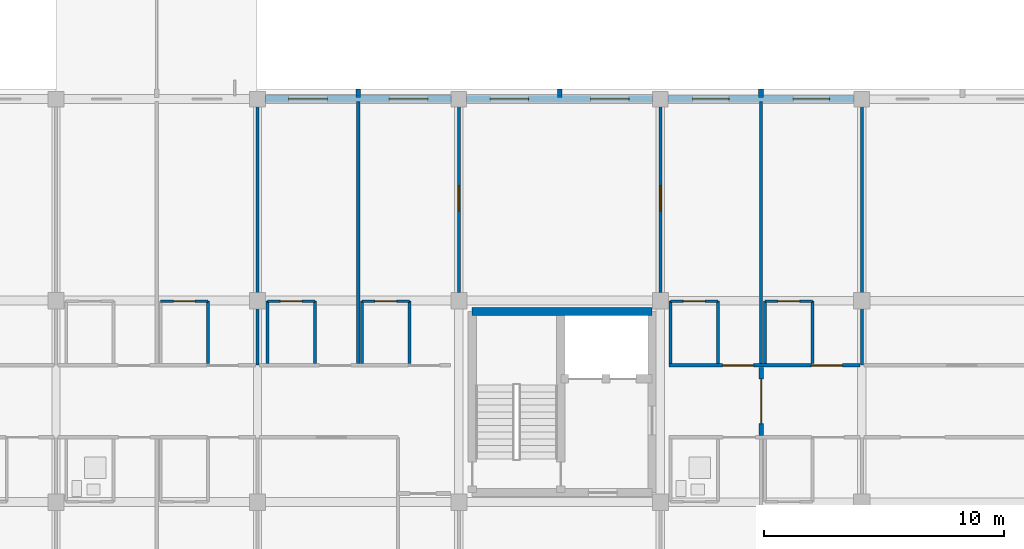
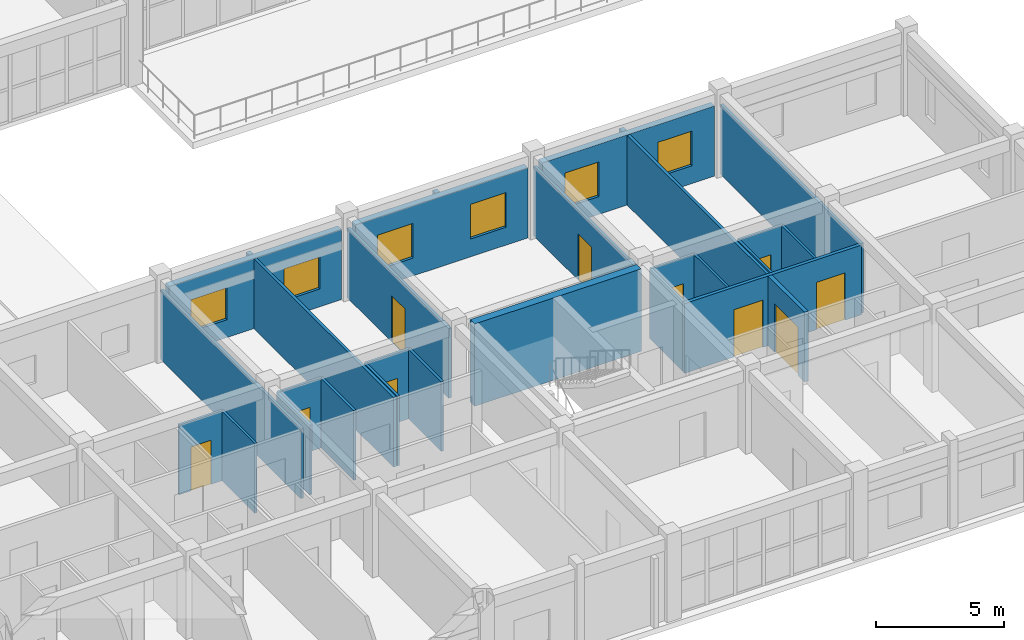
# One storey, part 66 of 90: 29 walls, 10 doors, 6 windows, 16 openings.
"""IFC4 building model written with IfcOpenShell, lengths in metres."""

from ifc_helpers import new_model, si_unit, direction, frame, frame_2d, origin, place, context, subcontext, project, spatial, rectangle, extrude, material, layer, layer_set, type_object, element, fill, save


model = new_model("IFC4")

# Units and contexts
model_context = context("Model", 3, precision=1e-05, world=origin(), true_north=direction((0.0, 1.0)))
body_context = subcontext(model_context, "Body", "Model", "MODEL_VIEW")
ifc_project = project(units=[si_unit("LENGTHUNIT", "METRE"), si_unit("AREAUNIT", "SQUARE_METRE"), si_unit("VOLUMEUNIT", "CUBIC_METRE"), si_unit("PLANEANGLEUNIT", "RADIAN"), si_unit("MASSUNIT", "GRAM", prefix="KILO")], contexts=[model_context])

# Site, building, storey
site_placement = place(None, origin())
site = spatial("IfcSite", under=ifc_project, at=site_placement, CompositionType="ELEMENT")
building_placement = place(site_placement, origin())
building = spatial("IfcBuilding", under=site, at=building_placement, Name="Trelvath General Hospital", CompositionType="ELEMENT")
storey_placement = place(building_placement, frame((0.0, 0.0, 20.39990234375)))
storey = spatial("IfcBuildingStorey", under=building, at=storey_placement, Name="L05", CompositionType="ELEMENT", Elevation=20.39990234375)

# Walls
ifc_material_1 = material(Name="Precast concrete C40/50", Category="concrete")
ifc_layer_1 = layer(ifc_material_1, 0.199951171875)
ifc_layer_set_1 = layer_set([ifc_layer_1], Name="Precast concrete C40/50")
wall_type_1 = type_object("IfcWallType", Name="BriseSoleilRib 200", PredefinedType="ELEMENTEDWALL", material=ifc_layer_set_1)
for number, where, z_axis, x_axis, name in (
    (1, (88.199951171875, 25.27490234375, 0.0), (0.0, 0.0, 1.0), (0.0, 1.0, 0.0), "Precast Concrete Brise-Soleil Rib Fin L05-387"),
    (2, (96.60009765625, 25.27490234375, 0.0), (0.0, 0.0, 1.0), (0.0, 1.0, 0.0), "Precast Concrete Brise-Soleil Rib Fin L05-390"),
    (3, (105.0, 25.27490234375, 0.0), (0.0, 0.0, 1.0), (0.0, 1.0, 0.0), "Precast Concrete Brise-Soleil Rib Fin L05-393"),
):
    element("IfcWall", number, at=place(storey_placement, frame(where, z_axis=z_axis, x_axis=x_axis)), inside=storey, type_object=wall_type_1, Name=name, PredefinedType="ELEMENTEDWALL", context=body_context, shape_type="SweptSolid", body=[
        extrude(rectangle(XDim=0.340087890625, YDim=0.199951171875, at=frame_2d((0.169921875, 0.0))), origin(), (0.0, 0.0, 1.0), 3.320068359375),
    ])

# Wall, openings, doors
ifc_material_2 = material(Name="Gypsum acoustic steel-stud partition", Category="steel")
ifc_layer_2 = layer(ifc_material_2, 0.14990234375)
ifc_layer_set_2 = layer_set([ifc_layer_2], Name="Gypsum acoustic steel-stud partition")
wall_type_2 = type_object("IfcWallType", Name="ClinicalPartition 150", PredefinedType="PARTITIONING", material=ifc_layer_set_2)
wall_1_placement = place(storey_placement, frame((109.1201171875, 14.10009765625, 0.0), z_axis=(0.0, 0.0, 1.0), x_axis=(-1.0, 0.0, 0.0)))
wall_1 = element("IfcWall", 4, at=wall_1_placement, inside=storey, type_object=wall_type_2, Name="Corridor Partition N L05-1851", PredefinedType="PARTITIONING", context=body_context, shape_type="SweptSolid", body=[
    extrude(rectangle(XDim=7.960205078125, YDim=0.14990234375, at=frame_2d((3.97998046875, 0.0))), origin(), (0.0, 0.0, 1.0), 3.320068359375),
])
opening_1_placement = place(wall_1_placement, frame((0.72998046875, 0.0, 0.0)))
opening_1 = element("IfcOpeningElement", 5, at=opening_1_placement, cuts=wall_1, Name="Opening D-5-1216", PredefinedType="OPENING", context=body_context, shape_type="SweptSolid", body=[
    extrude(rectangle(XDim=1.300048828125, YDim=2.25, at=frame_2d((0.64990234375, 1.125))), frame((0.0, 0.0849609375, 0.0), z_axis=(0.0, -1.0, 0.0), x_axis=(1.0, 0.0, 0.0)), (0.0, 0.0, 1.0), 0.169921875),
])
opening_2_placement = place(wall_1_placement, frame((4.429931640625, 0.0, 0.0)))
opening_2 = element("IfcOpeningElement", 6, at=opening_2_placement, cuts=wall_1, Name="Opening D-5-1217", PredefinedType="OPENING", context=body_context, shape_type="SweptSolid", body=[
    extrude(rectangle(XDim=1.300048828125, YDim=2.25, at=frame_2d((0.64990234375, 1.125))), frame((0.0, 0.0849609375, 0.0), z_axis=(0.0, -1.0, 0.0), x_axis=(1.0, 0.0, 0.0)), (0.0, 0.0, 1.0), 0.169921875),
])
ifc_material_3 = material(Name="Hospital bed-leaf timber door", Category="wood")
door_type_1 = type_object("IfcDoorType", Name="Door PatientBed 1300x2250", OperationType="NOTDEFINED", PredefinedType="DOOR", material=ifc_material_3)
door_1_placement = place(opening_1_placement, origin())
door_1 = element("IfcDoor", 7, at=door_1_placement, inside=storey, type_object=door_type_1, Name="Patient Room Door N L05-1216", OperationType="SINGLE_SWING_LEFT", OverallHeight=2.25, OverallWidth=1.300048828125, PredefinedType="DOOR", context=body_context, shape_type="SweptSolid", body=[
    extrude(rectangle(XDim=1.300048828125, YDim=2.25, at=frame_2d((0.64990234375, 1.125))), frame((0.0, 0.02490234375, 0.0), z_axis=(0.0, -1.0, 0.0), x_axis=(1.0, 0.0, 0.0)), (0.0, 0.0, 1.0), 0.050048828125),
])
fill(opening_1, door_1)
door_2_placement = place(opening_2_placement, origin())
door_2 = element("IfcDoor", 8, at=door_2_placement, inside=storey, type_object=door_type_1, Name="Patient Room Door N L05-1217", OperationType="SINGLE_SWING_LEFT", OverallHeight=2.25, OverallWidth=1.300048828125, PredefinedType="DOOR", context=body_context, shape_type="SweptSolid", body=[
    extrude(rectangle(XDim=1.300048828125, YDim=2.25, at=frame_2d((0.64990234375, 1.125))), frame((0.0, 0.02490234375, 0.0), z_axis=(0.0, -1.0, 0.0), x_axis=(1.0, 0.0, 0.0)), (0.0, 0.0, 1.0), 0.050048828125),
])
fill(opening_2, door_2)

# Walls
ifc_material_4 = material(Name="Concrete C40/50", Category="concrete")
ifc_layer_3 = layer(ifc_material_4, 0.35009765625)
ifc_layer_set_3 = layer_set([ifc_layer_3], Name="Concrete C40/50")
wall_type_3 = type_object("IfcWallType", Name="CoreShearWall 350", PredefinedType="SHEAR", material=ifc_layer_set_3)
wall_2_placement = place(storey_placement, frame((92.949951171875, 16.35009765625, 0.0), z_axis=(0.0, 0.0, 1.0), x_axis=(1.0, 0.0, 0.0)))
element("IfcWall", 9, at=wall_2_placement, inside=storey, type_object=wall_type_3, Name="Core Shear Wall C5 N L05", PredefinedType="SHEAR", context=body_context, shape_type="SweptSolid", body=[
    extrude(rectangle(XDim=7.5, YDim=0.35009765625, at=frame_2d((3.75, 0.0))), origin(), (0.0, 0.0, 1.0), 3.920166015625),
])
ifc_material_5 = material(Name="Moisture-resistant tile partition")
ifc_layer_4 = layer(ifc_material_5, 0.110107421875)
ifc_layer_set_4 = layer_set([ifc_layer_4], Name="Moisture-resistant tile partition")
wall_type_4 = type_object("IfcWallType", Name="EnSuiteWetWall 110", PredefinedType="PARTITIONING", material=ifc_layer_set_4)
wall_3_placement = place(storey_placement, frame((81.93994140625, 14.169921875, 0.0), z_axis=(0.0, 0.0, 1.0), x_axis=(0.0, 1.0, 0.0)))
element("IfcWall", 10, at=wall_3_placement, inside=storey, type_object=wall_type_4, Name="En-Suite E Wall N L05-1823", PredefinedType="PARTITIONING", context=body_context, shape_type="SweptSolid", body=[
    extrude(rectangle(XDim=2.610107421875, YDim=0.110107421875, at=frame_2d((1.30517578125, 0.0))), origin(), (0.0, 0.0, 1.0), 3.320068359375),
])

# Wall, opening, door
wall_4_placement = place(storey_placement, frame((79.9599609375, 16.780029296875, 0.0), z_axis=(0.0, 0.0, 1.0), x_axis=(1.0, 0.0, 0.0)))
wall_4 = element("IfcWall", 11, at=wall_4_placement, inside=storey, type_object=wall_type_4, Name="En-Suite Bathroom N Partition L05-1824", PredefinedType="PARTITIONING", context=body_context, shape_type="SweptSolid", body=[
    extrude(rectangle(XDim=1.97998046875, YDim=0.110107421875, at=frame_2d((0.989990234375, 0.0))), origin(), (0.0, 0.0, 1.0), 3.320068359375),
])
opening_3_placement = place(wall_4_placement, frame((0.5400390625, 0.0, 0.0)))
opening_3 = element("IfcOpeningElement", 12, at=opening_3_placement, cuts=wall_4, Name="Opening D-5-1201", PredefinedType="OPENING", context=body_context, shape_type="SweptSolid", body=[
    extrude(rectangle(XDim=0.89990234375, YDim=2.10009765625, at=frame_2d((0.449951171875, 1.050048828125))), frame((0.0, 0.06494140625, 0.0), z_axis=(0.0, -1.0, 0.0), x_axis=(1.0, 0.0, 0.0)), (0.0, 0.0, 1.0), 0.130126953125),
])
ifc_material_6 = material(Name="Moisture-sealed timber leaf", Category="wood")
door_type_2 = type_object("IfcDoorType", Name="Door EnSuite 900x2100", OperationType="NOTDEFINED", PredefinedType="DOOR", material=ifc_material_6)
door_3_placement = place(opening_3_placement, origin())
door_3 = element("IfcDoor", 13, at=door_3_placement, inside=storey, type_object=door_type_2, Name="En-Suite Bathroom N Door L05-1201", OperationType="SINGLE_SWING_LEFT", OverallHeight=2.10009765625, OverallWidth=0.89990234375, PredefinedType="DOOR", context=body_context, shape_type="SweptSolid", body=[
    extrude(rectangle(XDim=0.89990234375, YDim=2.10009765625, at=frame_2d((0.449951171875, 1.050048828125))), frame((0.0, 0.02490234375, 0.0), z_axis=(0.0, -1.0, 0.0), x_axis=(1.0, 0.0, 0.0)), (0.0, 0.0, 1.0), 0.050048828125),
])
fill(opening_3, door_3)

# Walls
for number, where, z_axis, x_axis, name in (
    (14, (84.419921875, 14.169921875, 0.0), (0.0, 0.0, 1.0), (0.0, 1.0, 0.0), "En-Suite W Wall N L05-1832"),
    (15, (86.39990234375, 14.169921875, 0.0), (0.0, 0.0, 1.0), (0.0, 1.0, 0.0), "En-Suite E Wall N L05-1833"),
):
    element("IfcWall", number, at=place(storey_placement, frame(where, z_axis=z_axis, x_axis=x_axis)), inside=storey, type_object=wall_type_4, Name=name, PredefinedType="PARTITIONING", context=body_context, shape_type="SweptSolid", body=[
        extrude(rectangle(XDim=2.610107421875, YDim=0.110107421875, at=frame_2d((1.30517578125, 0.0))), origin(), (0.0, 0.0, 1.0), 3.320068359375),
    ])

# Wall, opening, door
wall_5_placement = place(storey_placement, frame((84.419921875, 16.780029296875, 0.0), z_axis=(0.0, 0.0, 1.0), x_axis=(1.0, 0.0, 0.0)))
wall_5 = element("IfcWall", 16, at=wall_5_placement, inside=storey, type_object=wall_type_4, Name="En-Suite Bathroom N Partition L05-1834", PredefinedType="PARTITIONING", context=body_context, shape_type="SweptSolid", body=[
    extrude(rectangle(XDim=1.97998046875, YDim=0.110107421875, at=frame_2d((0.989990234375, 0.0))), origin(), (0.0, 0.0, 1.0), 3.320068359375),
])
opening_4_placement = place(wall_5_placement, frame((0.5400390625, 0.0, 0.0)))
opening_4 = element("IfcOpeningElement", 17, at=opening_4_placement, cuts=wall_5, Name="Opening D-5-1206", PredefinedType="OPENING", context=body_context, shape_type="SweptSolid", body=[
    extrude(rectangle(XDim=0.89990234375, YDim=2.10009765625, at=frame_2d((0.449951171875, 1.050048828125))), frame((0.0, 0.06494140625, 0.0), z_axis=(0.0, -1.0, 0.0), x_axis=(1.0, 0.0, 0.0)), (0.0, 0.0, 1.0), 0.130126953125),
])
door_4_placement = place(opening_4_placement, origin())
door_4 = element("IfcDoor", 18, at=door_4_placement, inside=storey, type_object=door_type_2, Name="En-Suite Bathroom N Door L05-1206", OperationType="SINGLE_SWING_LEFT", OverallHeight=2.10009765625, OverallWidth=0.89990234375, PredefinedType="DOOR", context=body_context, shape_type="SweptSolid", body=[
    extrude(rectangle(XDim=0.89990234375, YDim=2.10009765625, at=frame_2d((0.449951171875, 1.050048828125))), frame((0.0, 0.02490234375, 0.0), z_axis=(0.0, -1.0, 0.0), x_axis=(1.0, 0.0, 0.0)), (0.0, 0.0, 1.0), 0.050048828125),
])
fill(opening_4, door_4)

# Walls
for number, where, z_axis, x_axis, name in (
    (19, (88.360107421875, 14.169921875, 0.0), (0.0, 0.0, 1.0), (0.0, 1.0, 0.0), "En-Suite W Wall N L05-1835"),
    (20, (90.340087890625, 14.169921875, 0.0), (0.0, 0.0, 1.0), (0.0, 1.0, 0.0), "En-Suite E Wall N L05-1836"),
):
    element("IfcWall", number, at=place(storey_placement, frame(where, z_axis=z_axis, x_axis=x_axis)), inside=storey, type_object=wall_type_4, Name=name, PredefinedType="PARTITIONING", context=body_context, shape_type="SweptSolid", body=[
        extrude(rectangle(XDim=2.610107421875, YDim=0.110107421875, at=frame_2d((1.30517578125, 0.0))), origin(), (0.0, 0.0, 1.0), 3.320068359375),
    ])

# Wall, opening, door
wall_6_placement = place(storey_placement, frame((88.360107421875, 16.780029296875, 0.0), z_axis=(0.0, 0.0, 1.0), x_axis=(1.0, 0.0, 0.0)))
wall_6 = element("IfcWall", 21, at=wall_6_placement, inside=storey, type_object=wall_type_4, Name="En-Suite Bathroom N Partition L05-1837", PredefinedType="PARTITIONING", context=body_context, shape_type="SweptSolid", body=[
    extrude(rectangle(XDim=1.97998046875, YDim=0.110107421875, at=frame_2d((0.989990234375, 0.0))), origin(), (0.0, 0.0, 1.0), 3.320068359375),
])
opening_5_placement = place(wall_6_placement, frame((0.5400390625, 0.0, 0.0)))
opening_5 = element("IfcOpeningElement", 22, at=opening_5_placement, cuts=wall_6, Name="Opening D-5-1207", PredefinedType="OPENING", context=body_context, shape_type="SweptSolid", body=[
    extrude(rectangle(XDim=0.89990234375, YDim=2.10009765625, at=frame_2d((0.449951171875, 1.050048828125))), frame((0.0, 0.06494140625, 0.0), z_axis=(0.0, -1.0, 0.0), x_axis=(1.0, 0.0, 0.0)), (0.0, 0.0, 1.0), 0.130126953125),
])
door_5_placement = place(opening_5_placement, origin())
door_5 = element("IfcDoor", 23, at=door_5_placement, inside=storey, type_object=door_type_2, Name="En-Suite Bathroom N Door L05-1207", OperationType="SINGLE_SWING_RIGHT", OverallHeight=2.10009765625, OverallWidth=0.89990234375, PredefinedType="DOOR", context=body_context, shape_type="SweptSolid", body=[
    extrude(rectangle(XDim=0.89990234375, YDim=2.10009765625, at=frame_2d((0.449951171875, 1.050048828125))), frame((0.0, 0.02490234375, 0.0), z_axis=(0.0, -1.0, 0.0), x_axis=(1.0, 0.0, 0.0)), (0.0, 0.0, 1.0), 0.050048828125),
])
fill(opening_5, door_5)

# Walls
for number, where, z_axis, x_axis, name in (
    (24, (101.219970703125, 14.169921875, 0.0), (0.0, 0.0, 1.0), (0.0, 1.0, 0.0), "En-Suite W Wall N L05-1853"),
    (25, (103.199951171875, 14.169921875, 0.0), (0.0, 0.0, 1.0), (0.0, 1.0, 0.0), "En-Suite E Wall N L05-1854"),
):
    element("IfcWall", number, at=place(storey_placement, frame(where, z_axis=z_axis, x_axis=x_axis)), inside=storey, type_object=wall_type_4, Name=name, PredefinedType="PARTITIONING", context=body_context, shape_type="SweptSolid", body=[
        extrude(rectangle(XDim=2.610107421875, YDim=0.110107421875, at=frame_2d((1.30517578125, 0.0))), origin(), (0.0, 0.0, 1.0), 3.320068359375),
    ])

# Wall, opening, door
wall_7_placement = place(storey_placement, frame((101.219970703125, 16.780029296875, 0.0), z_axis=(0.0, 0.0, 1.0), x_axis=(1.0, 0.0, 0.0)))
wall_7 = element("IfcWall", 26, at=wall_7_placement, inside=storey, type_object=wall_type_4, Name="En-Suite Bathroom N Partition L05-1855", PredefinedType="PARTITIONING", context=body_context, shape_type="SweptSolid", body=[
    extrude(rectangle(XDim=1.97998046875, YDim=0.110107421875, at=frame_2d((0.989990234375, 0.0))), origin(), (0.0, 0.0, 1.0), 3.320068359375),
])
opening_6_placement = place(wall_7_placement, frame((0.5400390625, 0.0, 0.0)))
opening_6 = element("IfcOpeningElement", 27, at=opening_6_placement, cuts=wall_7, Name="Opening D-5-1218", PredefinedType="OPENING", context=body_context, shape_type="SweptSolid", body=[
    extrude(rectangle(XDim=0.89990234375, YDim=2.10009765625, at=frame_2d((0.449951171875, 1.050048828125))), frame((0.0, 0.06494140625, 0.0), z_axis=(0.0, -1.0, 0.0), x_axis=(1.0, 0.0, 0.0)), (0.0, 0.0, 1.0), 0.130126953125),
])
door_6_placement = place(opening_6_placement, origin())
door_6 = element("IfcDoor", 28, at=door_6_placement, inside=storey, type_object=door_type_2, Name="En-Suite Bathroom N Door L05-1218", OperationType="SINGLE_SWING_RIGHT", OverallHeight=2.10009765625, OverallWidth=0.89990234375, PredefinedType="DOOR", context=body_context, shape_type="SweptSolid", body=[
    extrude(rectangle(XDim=0.89990234375, YDim=2.10009765625, at=frame_2d((0.449951171875, 1.050048828125))), frame((0.0, 0.02490234375, 0.0), z_axis=(0.0, -1.0, 0.0), x_axis=(1.0, 0.0, 0.0)), (0.0, 0.0, 1.0), 0.050048828125),
])
fill(opening_6, door_6)

# Walls
for number, where, z_axis, x_axis, name in (
    (29, (105.159912109375, 14.169921875, 0.0), (0.0, 0.0, 1.0), (0.0, 1.0, 0.0), "En-Suite W Wall N L05-1856"),
    (30, (107.139892578125, 14.169921875, 0.0), (0.0, 0.0, 1.0), (0.0, 1.0, 0.0), "En-Suite E Wall N L05-1857"),
):
    element("IfcWall", number, at=place(storey_placement, frame(where, z_axis=z_axis, x_axis=x_axis)), inside=storey, type_object=wall_type_4, Name=name, PredefinedType="PARTITIONING", context=body_context, shape_type="SweptSolid", body=[
        extrude(rectangle(XDim=2.610107421875, YDim=0.110107421875, at=frame_2d((1.30517578125, 0.0))), origin(), (0.0, 0.0, 1.0), 3.320068359375),
    ])

# Wall, opening, door
wall_8_placement = place(storey_placement, frame((105.159912109375, 16.780029296875, 0.0), z_axis=(0.0, 0.0, 1.0), x_axis=(1.0, 0.0, 0.0)))
wall_8 = element("IfcWall", 31, at=wall_8_placement, inside=storey, type_object=wall_type_4, Name="En-Suite Bathroom N Partition L05-1858", PredefinedType="PARTITIONING", context=body_context, shape_type="SweptSolid", body=[
    extrude(rectangle(XDim=1.97998046875, YDim=0.110107421875, at=frame_2d((0.989990234375, 0.0))), origin(), (0.0, 0.0, 1.0), 3.320068359375),
])
opening_7_placement = place(wall_8_placement, frame((0.5400390625, 0.0, 0.0)))
opening_7 = element("IfcOpeningElement", 32, at=opening_7_placement, cuts=wall_8, Name="Opening D-5-1219", PredefinedType="OPENING", context=body_context, shape_type="SweptSolid", body=[
    extrude(rectangle(XDim=0.89990234375, YDim=2.10009765625, at=frame_2d((0.449951171875, 1.050048828125))), frame((0.0, 0.06494140625, 0.0), z_axis=(0.0, -1.0, 0.0), x_axis=(1.0, 0.0, 0.0)), (0.0, 0.0, 1.0), 0.130126953125),
])
door_7_placement = place(opening_7_placement, origin())
door_7 = element("IfcDoor", 33, at=door_7_placement, inside=storey, type_object=door_type_2, Name="En-Suite Bathroom N Door L05-1219", OperationType="SINGLE_SWING_LEFT", OverallHeight=2.10009765625, OverallWidth=0.89990234375, PredefinedType="DOOR", context=body_context, shape_type="SweptSolid", body=[
    extrude(rectangle(XDim=0.89990234375, YDim=2.10009765625, at=frame_2d((0.449951171875, 1.050048828125))), frame((0.0, 0.02490234375, 0.0), z_axis=(0.0, -1.0, 0.0), x_axis=(1.0, 0.0, 0.0)), (0.0, 0.0, 1.0), 0.050048828125),
])
fill(opening_7, door_7)

# Wall, openings, windows
ifc_material_7 = material(Name="Concrete C35/45", Category="concrete")
ifc_layer_5 = layer(ifc_material_7, 0.2900390625)
ifc_layer_set_5 = layer_set([ifc_layer_5], Name="Concrete C35/45")
wall_type_5 = type_object("IfcWallType", Name="ExtBushHammeredWall 290", PredefinedType="SOLIDWALL", material=ifc_layer_set_5)
wall_9_placement = place(storey_placement, frame((84.320068359375, 25.199951171875, 0.0), z_axis=(0.0, 0.0, 1.0), x_axis=(1.0, 0.0, 0.0)))
wall_9 = element("IfcWall", 34, at=wall_9_placement, inside=storey, type_object=wall_type_5, Name="Exterior Concrete Wall L05-524", PredefinedType="SOLIDWALL", context=body_context, shape_type="SweptSolid", body=[
    extrude(rectangle(XDim=7.760009765625, YDim=0.2900390625, at=frame_2d((3.8798828125, 0.0))), origin(), (0.0, 0.0, 1.0), 3.340087890625),
])
opening_8_placement = place(wall_9_placement, frame((0.974853515625, 0.0, 0.85009765625)))
opening_8 = element("IfcOpeningElement", 35, at=opening_8_placement, cuts=wall_9, Name="Opening WN-5-869", PredefinedType="OPENING", context=body_context, shape_type="SweptSolid", body=[
    extrude(rectangle(XDim=1.6201171875, YDim=1.52001953125, at=frame_2d((0.81005859375, 0.760009765625))), frame((0.0, 0.155029296875, 0.0), z_axis=(0.0, -1.0, 0.0), x_axis=(1.0, 0.0, 0.0)), (0.0, 0.0, 1.0), 0.31005859375),
])
opening_9_placement = place(wall_9_placement, frame((5.165283203125, 0.0, 0.85009765625)))
opening_9 = element("IfcOpeningElement", 36, at=opening_9_placement, cuts=wall_9, Name="Opening WN-5-870", PredefinedType="OPENING", context=body_context, shape_type="SweptSolid", body=[
    extrude(rectangle(XDim=1.6201171875, YDim=1.52001953125, at=frame_2d((0.81005859375, 0.760009765625))), frame((0.0, 0.155029296875, 0.0), z_axis=(0.0, -1.0, 0.0), x_axis=(1.0, 0.0, 0.0)), (0.0, 0.0, 1.0), 0.31005859375),
])
ifc_material_8 = material(Name="Low-E laminated glass", Category="glass")
window_type_1 = type_object("IfcWindowType", Name="Window Triage 1620x1520", PartitioningType="DOUBLE_PANEL_VERTICAL", PredefinedType="WINDOW", material=ifc_material_8)
window_1_placement = place(opening_8_placement, origin())
window_1 = element("IfcWindow", 37, at=window_1_placement, inside=storey, type_object=window_type_1, Name="Solar Reveal Window L05-869", OverallHeight=1.52001953125, OverallWidth=1.6201171875, PartitioningType="SINGLE_PANEL", PredefinedType="WINDOW", context=body_context, shape_type="SweptSolid", body=[
    extrude(rectangle(XDim=1.6201171875, YDim=1.52001953125, at=frame_2d((0.81005859375, 0.760009765625))), frame((0.0, 0.030029296875, 0.0), z_axis=(0.0, -1.0, 0.0), x_axis=(1.0, 0.0, 0.0)), (0.0, 0.0, 1.0), 0.06005859375),
])
fill(opening_8, window_1)
window_2_placement = place(opening_9_placement, origin())
window_2 = element("IfcWindow", 38, at=window_2_placement, inside=storey, type_object=window_type_1, Name="Solar Reveal Window L05-870", OverallHeight=1.52001953125, OverallWidth=1.6201171875, PartitioningType="SINGLE_PANEL", PredefinedType="WINDOW", context=body_context, shape_type="SweptSolid", body=[
    extrude(rectangle(XDim=1.6201171875, YDim=1.52001953125, at=frame_2d((0.81005859375, 0.760009765625))), frame((0.0, 0.030029296875, 0.0), z_axis=(0.0, -1.0, 0.0), x_axis=(1.0, 0.0, 0.0)), (0.0, 0.0, 1.0), 0.06005859375),
])
fill(opening_9, window_2)

wall_10_placement = place(storey_placement, frame((92.719970703125, 25.199951171875, 0.0), z_axis=(0.0, 0.0, 1.0), x_axis=(1.0, 0.0, 0.0)))
wall_10 = element("IfcWall", 39, at=wall_10_placement, inside=storey, type_object=wall_type_5, Name="Exterior Concrete Wall L05-530", PredefinedType="SOLIDWALL", context=body_context, shape_type="SweptSolid", body=[
    extrude(rectangle(XDim=7.760009765625, YDim=0.2900390625, at=frame_2d((3.8798828125, 0.0))), origin(), (0.0, 0.0, 1.0), 3.340087890625),
])
opening_10_placement = place(wall_10_placement, frame((0.98486328125, 0.0, 0.85009765625)))
opening_10 = element("IfcOpeningElement", 40, at=opening_10_placement, cuts=wall_10, Name="Opening WN-5-877", PredefinedType="OPENING", context=body_context, shape_type="SweptSolid", body=[
    extrude(rectangle(XDim=1.60009765625, YDim=1.64990234375, at=frame_2d((0.800048828125, 0.824951171875))), frame((0.0, 0.155029296875, 0.0), z_axis=(0.0, -1.0, 0.0), x_axis=(1.0, 0.0, 0.0)), (0.0, 0.0, 1.0), 0.31005859375),
])
opening_11_placement = place(wall_10_placement, frame((5.17529296875, 0.0, 0.85009765625)))
opening_11 = element("IfcOpeningElement", 41, at=opening_11_placement, cuts=wall_10, Name="Opening WN-5-878", PredefinedType="OPENING", context=body_context, shape_type="SweptSolid", body=[
    extrude(rectangle(XDim=1.60009765625, YDim=1.64990234375, at=frame_2d((0.800048828125, 0.824951171875))), frame((0.0, 0.155029296875, 0.0), z_axis=(0.0, -1.0, 0.0), x_axis=(1.0, 0.0, 0.0)), (0.0, 0.0, 1.0), 0.31005859375),
])
ifc_material_9 = material(Name="Low-E laminated glass", Category="glass")
window_type_2 = type_object("IfcWindowType", Name="Window WardNorth 1600x1650", PartitioningType="DOUBLE_PANEL_VERTICAL", PredefinedType="WINDOW", material=ifc_material_9)
window_3_placement = place(opening_10_placement, origin())
window_3 = element("IfcWindow", 42, at=window_3_placement, inside=storey, type_object=window_type_2, Name="Solar Reveal Window L05-877", OverallHeight=1.64990234375, OverallWidth=1.60009765625, PartitioningType="SINGLE_PANEL", PredefinedType="WINDOW", context=body_context, shape_type="SweptSolid", body=[
    extrude(rectangle(XDim=1.60009765625, YDim=1.64990234375, at=frame_2d((0.800048828125, 0.824951171875))), frame((0.0, 0.030029296875, 0.0), z_axis=(0.0, -1.0, 0.0), x_axis=(1.0, 0.0, 0.0)), (0.0, 0.0, 1.0), 0.06005859375),
])
fill(opening_10, window_3)
window_4_placement = place(opening_11_placement, origin())
window_4 = element("IfcWindow", 43, at=window_4_placement, inside=storey, type_object=window_type_2, Name="Solar Reveal Window L05-878", OverallHeight=1.64990234375, OverallWidth=1.60009765625, PartitioningType="SINGLE_PANEL", PredefinedType="WINDOW", context=body_context, shape_type="SweptSolid", body=[
    extrude(rectangle(XDim=1.60009765625, YDim=1.64990234375, at=frame_2d((0.800048828125, 0.824951171875))), frame((0.0, 0.030029296875, 0.0), z_axis=(0.0, -1.0, 0.0), x_axis=(1.0, 0.0, 0.0)), (0.0, 0.0, 1.0), 0.06005859375),
])
fill(opening_11, window_4)

wall_11_placement = place(storey_placement, frame((101.1201171875, 25.199951171875, 0.0), z_axis=(0.0, 0.0, 1.0), x_axis=(1.0, 0.0, 0.0)))
wall_11 = element("IfcWall", 44, at=wall_11_placement, inside=storey, type_object=wall_type_5, Name="Exterior Concrete Wall L05-533", PredefinedType="SOLIDWALL", context=body_context, shape_type="SweptSolid", body=[
    extrude(rectangle(XDim=7.759765625, YDim=0.2900390625, at=frame_2d((3.8798828125, 0.0))), origin(), (0.0, 0.0, 1.0), 3.340087890625),
])
opening_12_placement = place(wall_11_placement, frame((1.02490234375, 0.0, 0.85009765625)))
opening_12 = element("IfcOpeningElement", 45, at=opening_12_placement, cuts=wall_11, Name="Opening WN-5-883", PredefinedType="OPENING", context=body_context, shape_type="SweptSolid", body=[
    extrude(rectangle(XDim=1.52001953125, YDim=1.64990234375, at=frame_2d((0.760009765625, 0.824951171875))), frame((0.0, 0.155029296875, 0.0), z_axis=(0.0, -1.0, 0.0), x_axis=(1.0, 0.0, 0.0)), (0.0, 0.0, 1.0), 0.31005859375),
])
opening_13_placement = place(wall_11_placement, frame((5.215087890625, 0.0, 0.85009765625)))
opening_13 = element("IfcOpeningElement", 46, at=opening_13_placement, cuts=wall_11, Name="Opening WN-5-884", PredefinedType="OPENING", context=body_context, shape_type="SweptSolid", body=[
    extrude(rectangle(XDim=1.52001953125, YDim=1.64990234375, at=frame_2d((0.760009765625, 0.824951171875))), frame((0.0, 0.155029296875, 0.0), z_axis=(0.0, -1.0, 0.0), x_axis=(1.0, 0.0, 0.0)), (0.0, 0.0, 1.0), 0.31005859375),
])
ifc_material_10 = material(Name="Low-E laminated glass", Category="glass")
window_type_3 = type_object("IfcWindowType", Name="Window WardNorth 1520x1650", PartitioningType="DOUBLE_PANEL_VERTICAL", PredefinedType="WINDOW", material=ifc_material_10)
window_5_placement = place(opening_12_placement, origin())
window_5 = element("IfcWindow", 47, at=window_5_placement, inside=storey, type_object=window_type_3, Name="Solar Reveal Window L05-883", OverallHeight=1.64990234375, OverallWidth=1.52001953125, PartitioningType="SINGLE_PANEL", PredefinedType="WINDOW", context=body_context, shape_type="SweptSolid", body=[
    extrude(rectangle(XDim=1.52001953125, YDim=1.64990234375, at=frame_2d((0.760009765625, 0.824951171875))), frame((0.0, 0.030029296875, 0.0), z_axis=(0.0, -1.0, 0.0), x_axis=(1.0, 0.0, 0.0)), (0.0, 0.0, 1.0), 0.06005859375),
])
fill(opening_12, window_5)
window_6_placement = place(opening_13_placement, origin())
window_6 = element("IfcWindow", 48, at=window_6_placement, inside=storey, type_object=window_type_3, Name="Solar Reveal Window L05-884", OverallHeight=1.64990234375, OverallWidth=1.52001953125, PartitioningType="SINGLE_PANEL", PredefinedType="WINDOW", context=body_context, shape_type="SweptSolid", body=[
    extrude(rectangle(XDim=1.52001953125, YDim=1.64990234375, at=frame_2d((0.760009765625, 0.824951171875))), frame((0.0, 0.030029296875, 0.0), z_axis=(0.0, -1.0, 0.0), x_axis=(1.0, 0.0, 0.0)), (0.0, 0.0, 1.0), 0.06005859375),
])
fill(opening_13, window_6)

# Wall, opening, door
ifc_material_11 = material(Name="Masonry fire blockwork", Category="masonry")
ifc_layer_6 = layer(ifc_material_11, 0.179931640625)
ifc_layer_set_6 = layer_set([ifc_layer_6], Name="Masonry fire blockwork")
wall_type_6 = type_object("IfcWallType", Name="SmokeBarrierWall 180", PredefinedType="PARTITIONING", material=ifc_layer_set_6)
wall_12_placement = place(storey_placement, frame((105.0, 11.179931640625, 0.0), z_axis=(0.0, 0.0, 1.0), x_axis=(0.0, 1.0, 0.0)))
wall_12 = element("IfcWall", 49, at=wall_12_placement, inside=storey, type_object=wall_type_6, Name="Smoke Compartment Barrier L05-1859", PredefinedType="PARTITIONING", context=body_context, shape_type="SweptSolid", body=[
    extrude(rectangle(XDim=2.840087890625, YDim=0.179931640625, at=frame_2d((1.419921875, 0.0))), origin(), (0.0, 0.0, 1.0), 3.320068359375),
])
opening_14_placement = place(wall_12_placement, frame((0.4951171875, 0.0, 0.0)))
opening_14 = element("IfcOpeningElement", 50, at=opening_14_placement, cuts=wall_12, Name="Opening SD-5-1220", PredefinedType="OPENING", context=body_context, shape_type="SweptSolid", body=[
    extrude(rectangle(XDim=1.85009765625, YDim=2.300048828125, at=frame_2d((0.925048828125, 1.14990234375))), frame((0.0, 0.099853515625, 0.0), z_axis=(0.0, -1.0, 0.0), x_axis=(1.0, 0.0, 0.0)), (0.0, 0.0, 1.0), 0.199951171875),
])
ifc_material_12 = material(Name="Fire-rated steel cross-corridor pair", Category="steel")
door_type_3 = type_object("IfcDoorType", Name="Door SmokeCross 1850x2300", OperationType="DOUBLE_SWING_LEFT", PredefinedType="DOOR", material=ifc_material_12)
door_8_placement = place(opening_14_placement, origin())
door_8 = element("IfcDoor", 51, at=door_8_placement, inside=storey, type_object=door_type_3, Name="Cross-Corridor Smoke Door L05-1220", OperationType="SLIDING_TO_LEFT", OverallHeight=2.300048828125, OverallWidth=1.85009765625, PredefinedType="DOOR", context=body_context, shape_type="SweptSolid", body=[
    extrude(rectangle(XDim=1.85009765625, YDim=2.300048828125, at=frame_2d((0.925048828125, 1.14990234375))), frame((0.0, 0.02490234375, 0.0), z_axis=(0.0, -1.0, 0.0), x_axis=(1.0, 0.0, 0.0)), (0.0, 0.0, 1.0), 0.050048828125),
])
fill(opening_14, door_8)

# Walls
ifc_material_13 = material(Name="Gypsum acoustic steel-stud partition", Category="steel")
ifc_layer_7 = layer(ifc_material_13, 0.1298828125)
ifc_layer_set_7 = layer_set([ifc_layer_7], Name="Gypsum acoustic steel-stud partition")
wall_type_7 = type_object("IfcWallType", Name="WardPartition 130", PredefinedType="PARTITIONING", material=ifc_layer_set_7)
wall_13_placement = place(storey_placement, frame((84.0, 14.1201171875, 0.0), z_axis=(0.0, 0.0, 1.0), x_axis=(0.0, 1.0, 0.0)))
element("IfcWall", 52, at=wall_13_placement, inside=storey, type_object=wall_type_7, Name="Inter-Bay Ward Partition N L05-1826", PredefinedType="PARTITIONING", context=body_context, shape_type="SweptSolid", body=[
    extrude(rectangle(XDim=10.93994140625, YDim=0.1298828125, at=frame_2d((5.469970703125, 0.0))), origin(), (0.0, 0.0, 1.0), 3.320068359375),
])
wall_14_placement = place(storey_placement, frame((88.199951171875, 14.169921875, 0.0), z_axis=(0.0, 0.0, 1.0), x_axis=(0.0, 1.0, 0.0)))
element("IfcWall", 53, at=wall_14_placement, inside=storey, type_object=wall_type_7, Name="Room Dividing Partition N L05-1831", PredefinedType="PARTITIONING", context=body_context, shape_type="SweptSolid", body=[
    extrude(rectangle(XDim=10.93017578125, YDim=0.1298828125, at=frame_2d((5.465087890625, 0.0))), origin(), (0.0, 0.0, 1.0), 3.320068359375),
])

# Wall, opening, door
wall_15_placement = place(storey_placement, frame((92.39990234375, 17.14990234375, 0.0), z_axis=(0.0, 0.0, 1.0), x_axis=(0.0, 1.0, 0.0)))
wall_15 = element("IfcWall", 54, at=wall_15_placement, inside=storey, type_object=wall_type_7, Name="Inter-Bay Ward Partition N L05-1839", PredefinedType="PARTITIONING", context=body_context, shape_type="SweptSolid", body=[
    extrude(rectangle(XDim=7.91015625, YDim=0.1298828125, at=frame_2d((3.955078125, 0.0))), origin(), (0.0, 0.0, 1.0), 3.320068359375),
])
opening_15_placement = place(wall_15_placement, frame((3.39990234375, 0.0, 0.0)))
opening_15 = element("IfcOpeningElement", 55, at=opening_15_placement, cuts=wall_15, Name="Opening D-5-1209", PredefinedType="OPENING", context=body_context, shape_type="SweptSolid", body=[
    extrude(rectangle(XDim=1.050048828125, YDim=2.199951171875, at=frame_2d((0.52490234375, 1.10009765625))), frame((0.0, 0.074951171875, 0.0), z_axis=(0.0, -1.0, 0.0), x_axis=(1.0, 0.0, 0.0)), (0.0, 0.0, 1.0), 0.14990234375),
])
ifc_material_14 = material(Name="Acoustic hospital timber leaf", Category="wood")
door_type_4 = type_object("IfcDoorType", Name="Door Consult 1050x2200", OperationType="NOTDEFINED", PredefinedType="DOOR", material=ifc_material_14)
door_9_placement = place(opening_15_placement, origin())
door_9 = element("IfcDoor", 56, at=door_9_placement, inside=storey, type_object=door_type_4, Name="Consultation Connecting Door L05-1209", OperationType="SINGLE_SWING_RIGHT", OverallHeight=2.199951171875, OverallWidth=1.050048828125, PredefinedType="DOOR", context=body_context, shape_type="SweptSolid", body=[
    extrude(rectangle(XDim=1.050048828125, YDim=2.199951171875, at=frame_2d((0.52490234375, 1.10009765625))), frame((0.0, 0.02490234375, 0.0), z_axis=(0.0, -1.0, 0.0), x_axis=(1.0, 0.0, 0.0)), (0.0, 0.0, 1.0), 0.050048828125),
])
fill(opening_15, door_9)

wall_16_placement = place(storey_placement, frame((100.800048828125, 17.14990234375, 0.0), z_axis=(0.0, 0.0, 1.0), x_axis=(0.0, 1.0, 0.0)))
wall_16 = element("IfcWall", 57, at=wall_16_placement, inside=storey, type_object=wall_type_7, Name="Inter-Bay Ward Partition N L05-1841", PredefinedType="PARTITIONING", context=body_context, shape_type="SweptSolid", body=[
    extrude(rectangle(XDim=7.91015625, YDim=0.1298828125, at=frame_2d((3.955078125, 0.0))), origin(), (0.0, 0.0, 1.0), 3.320068359375),
])
opening_16_placement = place(wall_16_placement, frame((3.39990234375, 0.0, 0.0)))
opening_16 = element("IfcOpeningElement", 58, at=opening_16_placement, cuts=wall_16, Name="Opening D-5-1211", PredefinedType="OPENING", context=body_context, shape_type="SweptSolid", body=[
    extrude(rectangle(XDim=1.050048828125, YDim=2.199951171875, at=frame_2d((0.52490234375, 1.10009765625))), frame((0.0, 0.074951171875, 0.0), z_axis=(0.0, -1.0, 0.0), x_axis=(1.0, 0.0, 0.0)), (0.0, 0.0, 1.0), 0.14990234375),
])
door_10_placement = place(opening_16_placement, origin())
door_10 = element("IfcDoor", 59, at=door_10_placement, inside=storey, type_object=door_type_4, Name="Consultation Connecting Door L05-1211", OperationType="SINGLE_SWING_RIGHT", OverallHeight=2.199951171875, OverallWidth=1.050048828125, PredefinedType="DOOR", context=body_context, shape_type="SweptSolid", body=[
    extrude(rectangle(XDim=1.050048828125, YDim=2.199951171875, at=frame_2d((0.52490234375, 1.10009765625))), frame((0.0, 0.02490234375, 0.0), z_axis=(0.0, -1.0, 0.0), x_axis=(1.0, 0.0, 0.0)), (0.0, 0.0, 1.0), 0.050048828125),
])
fill(opening_16, door_10)

# Walls
wall_17_placement = place(storey_placement, frame((105.0, 14.169921875, 0.0), z_axis=(0.0, 0.0, 1.0), x_axis=(0.0, 1.0, 0.0)))
element("IfcWall", 60, at=wall_17_placement, inside=storey, type_object=wall_type_7, Name="Room Dividing Partition N L05-1852", PredefinedType="PARTITIONING", context=body_context, shape_type="SweptSolid", body=[
    extrude(rectangle(XDim=10.93017578125, YDim=0.1298828125, at=frame_2d((5.465087890625, 0.0))), origin(), (0.0, 0.0, 1.0), 3.320068359375),
])
wall_18_placement = place(storey_placement, frame((109.199951171875, 14.1201171875, 0.0), z_axis=(0.0, 0.0, 1.0), x_axis=(0.0, 1.0, 0.0)))
element("IfcWall", 61, at=wall_18_placement, inside=storey, type_object=wall_type_7, Name="Inter-Bay Ward Partition N L05-1861", PredefinedType="PARTITIONING", context=body_context, shape_type="SweptSolid", body=[
    extrude(rectangle(XDim=10.93994140625, YDim=0.1298828125, at=frame_2d((5.469970703125, 0.0))), origin(), (0.0, 0.0, 1.0), 3.320068359375),
])

save(model, "model.ifc")
